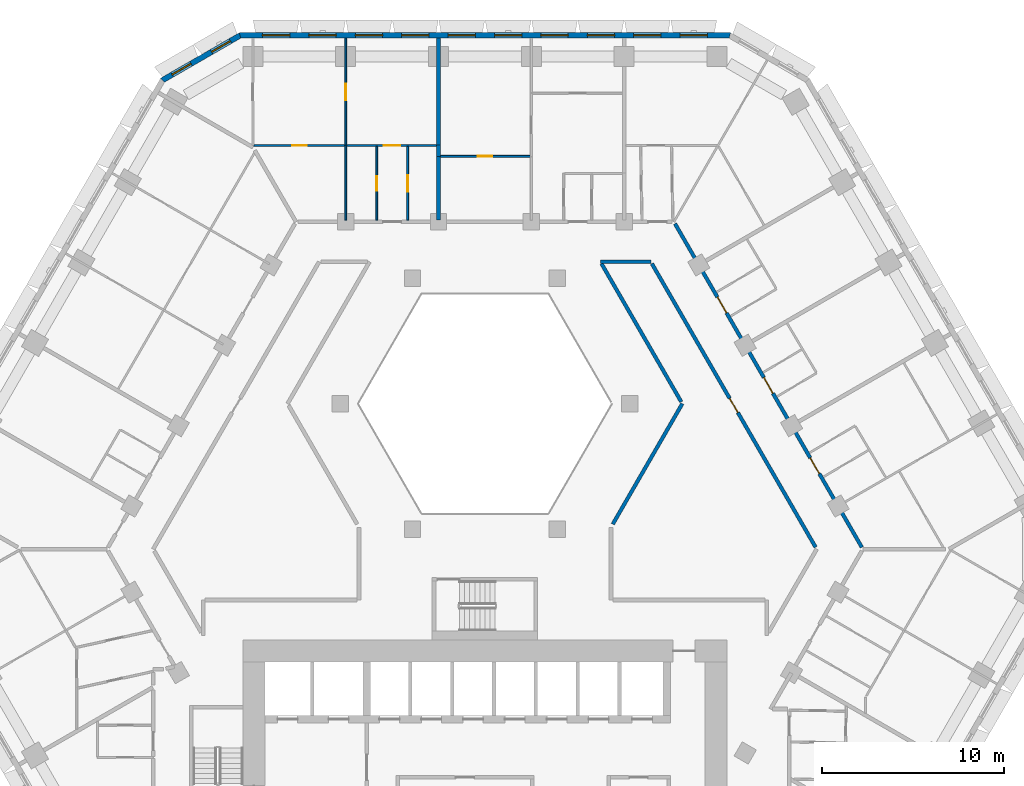
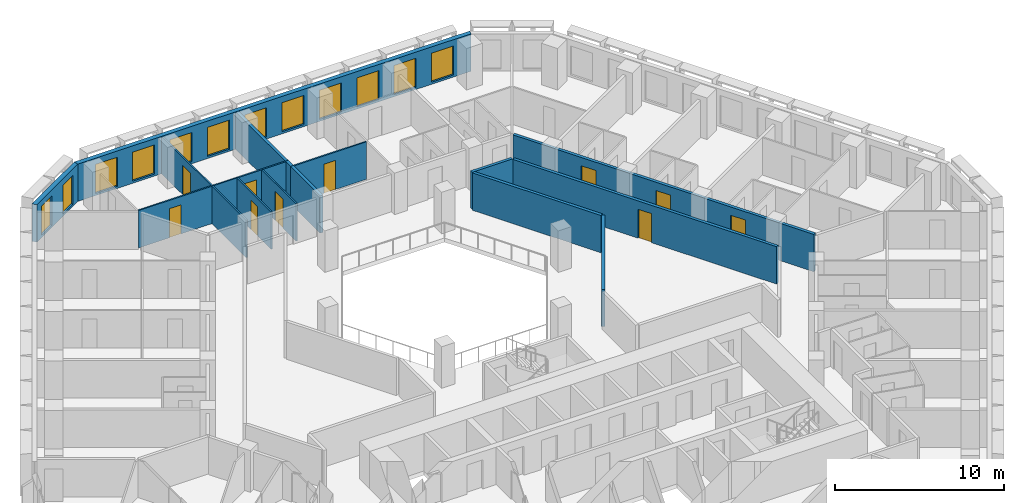
# One storey, part 10 of 21: 16 walls, 12 windows, 10 doors, 22 openings.
"""IFC4 building model written with IfcOpenShell, lengths in metres."""

from ifc_helpers import new_model, si_unit, direction, frame, frame_2d, origin, place, context, subcontext, project, spatial, polyline, rectangle, outline, extrude, material, layer, layer_set, type_object, element, fill, save


model = new_model("IFC4")

# Units and contexts
model_context = context("Model", 3, precision=1e-05, world=origin(), true_north=direction((0.0, 1.0)))
body_context = subcontext(model_context, "Body", "Model", "MODEL_VIEW")
ifc_project = project(units=[si_unit("LENGTHUNIT", "METRE"), si_unit("AREAUNIT", "SQUARE_METRE"), si_unit("VOLUMEUNIT", "CUBIC_METRE"), si_unit("PLANEANGLEUNIT", "RADIAN"), si_unit("MASSUNIT", "GRAM", prefix="KILO")], contexts=[model_context])

# Site, building, storey
site_placement = place(None, origin())
site = spatial("IfcSite", under=ifc_project, at=site_placement, CompositionType="ELEMENT")
building_placement = place(site_placement, origin())
building = spatial("IfcBuilding", under=site, at=building_placement, Name="Beryl Residences", CompositionType="ELEMENT")
storey_placement = place(building_placement, frame((0.0, 0.0, 47.39990234375)))
storey = spatial("IfcBuildingStorey", under=building, at=storey_placement, Name="L14", CompositionType="ELEMENT", Elevation=47.39990234375)

# Wall, openings, windows
ifc_material_1 = material(Name="Composite metal panel with mineral wool insulation")
ifc_layer_1 = layer(ifc_material_1, 0.300048828125)
ifc_layer_set_1 = layer_set([ifc_layer_1], Name="ES1 pale metal composite panel wall 300 mm")
wall_type_1 = type_object("IfcWallType", Name="ES1 pale metal composite panel wall 300 mm", PredefinedType="SOLIDWALL", material=ifc_layer_set_1)
wall_1_placement = place(storey_placement, frame((13.510009765625, 28.25, 0.0), z_axis=(0.0, 0.0, 1.0), x_axis=(-1.0, 0.0, 0.0)))
wall_1 = element("IfcWall", 1, at=wall_1_placement, inside=storey, type_object=wall_type_1, Name="ES1 external wall L14 N", PredefinedType="SOLIDWALL", context=body_context, shape_type="SweptSolid", body=[
    extrude(outline(polyline([(0.0, -0.14990234375), (27.02001953125, -0.14990234375), (26.939697265625, 0.14990234375), (0.080322265625, 0.14990234375), (0.0, -0.14990234375)])), origin(), (0.0, 0.0, 1.0), 2.7001953125),
])
opening_1_placement = place(wall_1_placement, frame((1.277099609375, 0.0, 0.14990234375)))
opening_1 = element("IfcOpeningElement", 2, at=opening_1_placement, cuts=wall_1, Name="Opening W1", PredefinedType="OPENING", context=body_context, shape_type="SweptSolid", body=[
    extrude(rectangle(XDim=1.5, YDim=2.10009765625, at=frame_2d((0.75, 1.050048828125))), frame((0.0, 0.159912109375, 0.0), z_axis=(0.0, -1.0, 0.0), x_axis=(1.0, 0.0, 0.0)), (0.0, 0.0, 1.0), 0.320068359375),
])
opening_2_placement = place(wall_1_placement, frame((3.8291015625, 0.0, 0.14990234375)))
opening_2 = element("IfcOpeningElement", 3, at=opening_2_placement, cuts=wall_1, Name="Opening W1", PredefinedType="OPENING", context=body_context, shape_type="SweptSolid", body=[
    extrude(rectangle(XDim=1.5, YDim=2.10009765625, at=frame_2d((0.75, 1.050048828125))), frame((0.0, 0.159912109375, 0.0), z_axis=(0.0, -1.0, 0.0), x_axis=(1.0, 0.0, 0.0)), (0.0, 0.0, 1.0), 0.320068359375),
])
opening_3_placement = place(wall_1_placement, frame((6.381103515625, 0.0, 0.14990234375)))
opening_3 = element("IfcOpeningElement", 4, at=opening_3_placement, cuts=wall_1, Name="Opening W1", PredefinedType="OPENING", context=body_context, shape_type="SweptSolid", body=[
    extrude(rectangle(XDim=1.5, YDim=2.10009765625, at=frame_2d((0.75, 1.050048828125))), frame((0.0, 0.159912109375, 0.0), z_axis=(0.0, -1.0, 0.0), x_axis=(1.0, 0.0, 0.0)), (0.0, 0.0, 1.0), 0.320068359375),
])
opening_4_placement = place(wall_1_placement, frame((8.93310546875, 0.0, 0.14990234375)))
opening_4 = element("IfcOpeningElement", 5, at=opening_4_placement, cuts=wall_1, Name="Opening W1", PredefinedType="OPENING", context=body_context, shape_type="SweptSolid", body=[
    extrude(rectangle(XDim=1.5, YDim=2.10009765625, at=frame_2d((0.75, 1.050048828125))), frame((0.0, 0.159912109375, 0.0), z_axis=(0.0, -1.0, 0.0), x_axis=(1.0, 0.0, 0.0)), (0.0, 0.0, 1.0), 0.320068359375),
])
opening_5_placement = place(wall_1_placement, frame((11.485107421875, 0.0, 0.14990234375)))
opening_5 = element("IfcOpeningElement", 6, at=opening_5_placement, cuts=wall_1, Name="Opening W1", PredefinedType="OPENING", context=body_context, shape_type="SweptSolid", body=[
    extrude(rectangle(XDim=1.5, YDim=2.10009765625, at=frame_2d((0.75, 1.050048828125))), frame((0.0, 0.159912109375, 0.0), z_axis=(0.0, -1.0, 0.0), x_axis=(1.0, 0.0, 0.0)), (0.0, 0.0, 1.0), 0.320068359375),
])
opening_6_placement = place(wall_1_placement, frame((14.037109375, 0.0, 0.14990234375)))
opening_6 = element("IfcOpeningElement", 7, at=opening_6_placement, cuts=wall_1, Name="Opening W1", PredefinedType="OPENING", context=body_context, shape_type="SweptSolid", body=[
    extrude(rectangle(XDim=1.5, YDim=2.10009765625, at=frame_2d((0.75, 1.050048828125))), frame((0.0, 0.159912109375, 0.0), z_axis=(0.0, -1.0, 0.0), x_axis=(1.0, 0.0, 0.0)), (0.0, 0.0, 1.0), 0.320068359375),
])
opening_7_placement = place(wall_1_placement, frame((16.589111328125, 0.0, 0.14990234375)))
opening_7 = element("IfcOpeningElement", 8, at=opening_7_placement, cuts=wall_1, Name="Opening W1", PredefinedType="OPENING", context=body_context, shape_type="SweptSolid", body=[
    extrude(rectangle(XDim=1.5, YDim=2.10009765625, at=frame_2d((0.75, 1.050048828125))), frame((0.0, 0.159912109375, 0.0), z_axis=(0.0, -1.0, 0.0), x_axis=(1.0, 0.0, 0.0)), (0.0, 0.0, 1.0), 0.320068359375),
])
opening_8_placement = place(wall_1_placement, frame((19.14111328125, 0.0, 0.14990234375)))
opening_8 = element("IfcOpeningElement", 9, at=opening_8_placement, cuts=wall_1, Name="Opening W1", PredefinedType="OPENING", context=body_context, shape_type="SweptSolid", body=[
    extrude(rectangle(XDim=1.5, YDim=2.10009765625, at=frame_2d((0.75, 1.050048828125))), frame((0.0, 0.159912109375, 0.0), z_axis=(0.0, -1.0, 0.0), x_axis=(1.0, 0.0, 0.0)), (0.0, 0.0, 1.0), 0.320068359375),
])
opening_9_placement = place(wall_1_placement, frame((21.693115234375, 0.0, 0.14990234375)))
opening_9 = element("IfcOpeningElement", 10, at=opening_9_placement, cuts=wall_1, Name="Opening W1", PredefinedType="OPENING", context=body_context, shape_type="SweptSolid", body=[
    extrude(rectangle(XDim=1.5, YDim=2.10009765625, at=frame_2d((0.75, 1.050048828125))), frame((0.0, 0.159912109375, 0.0), z_axis=(0.0, -1.0, 0.0), x_axis=(1.0, 0.0, 0.0)), (0.0, 0.0, 1.0), 0.320068359375),
])
opening_10_placement = place(wall_1_placement, frame((24.2451171875, 0.0, 0.14990234375)))
opening_10 = element("IfcOpeningElement", 11, at=opening_10_placement, cuts=wall_1, Name="Opening W1", PredefinedType="OPENING", context=body_context, shape_type="SweptSolid", body=[
    extrude(rectangle(XDim=1.5, YDim=2.10009765625, at=frame_2d((0.75, 1.050048828125))), frame((0.0, 0.159912109375, 0.0), z_axis=(0.0, -1.0, 0.0), x_axis=(1.0, 0.0, 0.0)), (0.0, 0.0, 1.0), 0.320068359375),
])
ifc_material_2 = material(Name="Aluminium and clear glass", Category="aluminium")
window_type_1 = type_object("IfcWindowType", Name="W1 cell window 1500 x 2100 mm", PartitioningType="SINGLE_PANEL", PredefinedType="WINDOW", material=ifc_material_2)
window_1_placement = place(opening_1_placement, origin())
window_1 = element("IfcWindow", 12, at=window_1_placement, inside=storey, type_object=window_type_1, Name="W1 window L14 N 1", OverallHeight=2.10009765625, OverallWidth=1.5, PartitioningType="SINGLE_PANEL", PredefinedType="WINDOW", context=body_context, shape_type="SweptSolid", body=[
    extrude(rectangle(XDim=1.5, YDim=2.10009765625, at=frame_2d((0.75, 1.050048828125))), frame((0.0, 0.030029296875, 0.0), z_axis=(0.0, -1.0, 0.0), x_axis=(1.0, 0.0, 0.0)), (0.0, 0.0, 1.0), 0.06005859375),
])
fill(opening_1, window_1)
window_2_placement = place(opening_2_placement, origin())
window_2 = element("IfcWindow", 13, at=window_2_placement, inside=storey, type_object=window_type_1, Name="W1 window L14 N 2", OverallHeight=2.10009765625, OverallWidth=1.5, PartitioningType="SINGLE_PANEL", PredefinedType="WINDOW", context=body_context, shape_type="SweptSolid", body=[
    extrude(rectangle(XDim=1.5, YDim=2.10009765625, at=frame_2d((0.75, 1.050048828125))), frame((0.0, 0.030029296875, 0.0), z_axis=(0.0, -1.0, 0.0), x_axis=(1.0, 0.0, 0.0)), (0.0, 0.0, 1.0), 0.06005859375),
])
fill(opening_2, window_2)
window_3_placement = place(opening_3_placement, origin())
window_3 = element("IfcWindow", 14, at=window_3_placement, inside=storey, type_object=window_type_1, Name="W1 window L14 N 3", OverallHeight=2.10009765625, OverallWidth=1.5, PartitioningType="SINGLE_PANEL", PredefinedType="WINDOW", context=body_context, shape_type="SweptSolid", body=[
    extrude(rectangle(XDim=1.5, YDim=2.10009765625, at=frame_2d((0.75, 1.050048828125))), frame((0.0, 0.030029296875, 0.0), z_axis=(0.0, -1.0, 0.0), x_axis=(1.0, 0.0, 0.0)), (0.0, 0.0, 1.0), 0.06005859375),
])
fill(opening_3, window_3)
window_4_placement = place(opening_4_placement, origin())
window_4 = element("IfcWindow", 15, at=window_4_placement, inside=storey, type_object=window_type_1, Name="W1 window L14 N 4", OverallHeight=2.10009765625, OverallWidth=1.5, PartitioningType="SINGLE_PANEL", PredefinedType="WINDOW", context=body_context, shape_type="SweptSolid", body=[
    extrude(rectangle(XDim=1.5, YDim=2.10009765625, at=frame_2d((0.75, 1.050048828125))), frame((0.0, 0.030029296875, 0.0), z_axis=(0.0, -1.0, 0.0), x_axis=(1.0, 0.0, 0.0)), (0.0, 0.0, 1.0), 0.06005859375),
])
fill(opening_4, window_4)
window_5_placement = place(opening_5_placement, origin())
window_5 = element("IfcWindow", 16, at=window_5_placement, inside=storey, type_object=window_type_1, Name="W1 window L14 N 5", OverallHeight=2.10009765625, OverallWidth=1.5, PartitioningType="SINGLE_PANEL", PredefinedType="WINDOW", context=body_context, shape_type="SweptSolid", body=[
    extrude(rectangle(XDim=1.5, YDim=2.10009765625, at=frame_2d((0.75, 1.050048828125))), frame((0.0, 0.030029296875, 0.0), z_axis=(0.0, -1.0, 0.0), x_axis=(1.0, 0.0, 0.0)), (0.0, 0.0, 1.0), 0.06005859375),
])
fill(opening_5, window_5)
window_6_placement = place(opening_6_placement, origin())
window_6 = element("IfcWindow", 17, at=window_6_placement, inside=storey, type_object=window_type_1, Name="W1 window L14 N 6", OverallHeight=2.10009765625, OverallWidth=1.5, PartitioningType="SINGLE_PANEL", PredefinedType="WINDOW", context=body_context, shape_type="SweptSolid", body=[
    extrude(rectangle(XDim=1.5, YDim=2.10009765625, at=frame_2d((0.75, 1.050048828125))), frame((0.0, 0.030029296875, 0.0), z_axis=(0.0, -1.0, 0.0), x_axis=(1.0, 0.0, 0.0)), (0.0, 0.0, 1.0), 0.06005859375),
])
fill(opening_6, window_6)
window_7_placement = place(opening_7_placement, origin())
window_7 = element("IfcWindow", 18, at=window_7_placement, inside=storey, type_object=window_type_1, Name="W1 window L14 N 7", OverallHeight=2.10009765625, OverallWidth=1.5, PartitioningType="SINGLE_PANEL", PredefinedType="WINDOW", context=body_context, shape_type="SweptSolid", body=[
    extrude(rectangle(XDim=1.5, YDim=2.10009765625, at=frame_2d((0.75, 1.050048828125))), frame((0.0, 0.030029296875, 0.0), z_axis=(0.0, -1.0, 0.0), x_axis=(1.0, 0.0, 0.0)), (0.0, 0.0, 1.0), 0.06005859375),
])
fill(opening_7, window_7)
window_8_placement = place(opening_8_placement, origin())
window_8 = element("IfcWindow", 19, at=window_8_placement, inside=storey, type_object=window_type_1, Name="W1 window L14 N 8", OverallHeight=2.10009765625, OverallWidth=1.5, PartitioningType="SINGLE_PANEL", PredefinedType="WINDOW", context=body_context, shape_type="SweptSolid", body=[
    extrude(rectangle(XDim=1.5, YDim=2.10009765625, at=frame_2d((0.75, 1.050048828125))), frame((0.0, 0.030029296875, 0.0), z_axis=(0.0, -1.0, 0.0), x_axis=(1.0, 0.0, 0.0)), (0.0, 0.0, 1.0), 0.06005859375),
])
fill(opening_8, window_8)
window_9_placement = place(opening_9_placement, origin())
window_9 = element("IfcWindow", 20, at=window_9_placement, inside=storey, type_object=window_type_1, Name="W1 window L14 N 9", OverallHeight=2.10009765625, OverallWidth=1.5, PartitioningType="SINGLE_PANEL", PredefinedType="WINDOW", context=body_context, shape_type="SweptSolid", body=[
    extrude(rectangle(XDim=1.5, YDim=2.10009765625, at=frame_2d((0.75, 1.050048828125))), frame((0.0, 0.030029296875, 0.0), z_axis=(0.0, -1.0, 0.0), x_axis=(1.0, 0.0, 0.0)), (0.0, 0.0, 1.0), 0.06005859375),
])
fill(opening_9, window_9)
window_10_placement = place(opening_10_placement, origin())
window_10 = element("IfcWindow", 21, at=window_10_placement, inside=storey, type_object=window_type_1, Name="W1 window L14 N 10", OverallHeight=2.10009765625, OverallWidth=1.5, PartitioningType="SINGLE_PANEL", PredefinedType="WINDOW", context=body_context, shape_type="SweptSolid", body=[
    extrude(rectangle(XDim=1.5, YDim=2.10009765625, at=frame_2d((0.75, 1.050048828125))), frame((0.0, 0.030029296875, 0.0), z_axis=(0.0, -1.0, 0.0), x_axis=(1.0, 0.0, 0.0)), (0.0, 0.0, 1.0), 0.06005859375),
])
fill(opening_10, window_10)

wall_2_placement = place(storey_placement, frame((-13.43505859375, 28.27001953125, 0.0), z_axis=(0.0, 0.0, 1.0), x_axis=(-0.866010750942, -0.50002537861, 0.0)))
wall_2 = element("IfcWall", 22, at=wall_2_placement, inside=storey, type_object=wall_type_1, Name="ES1 external wall L14 N-NW", PredefinedType="SOLIDWALL", context=body_context, shape_type="SweptSolid", body=[
    extrude(outline(polyline([(0.0, -0.14990234375), (4.999755859375, -0.14990234375), (4.91943359375, 0.14990234375), (0.080322265625, 0.14990234375), (0.0, -0.14990234375)])), origin(), (0.0, 0.0, 1.0), 2.7001953125),
])
opening_11_placement = place(wall_2_placement, frame((0.64990234375, 0.0, 0.14990234375)))
opening_11 = element("IfcOpeningElement", 23, at=opening_11_placement, cuts=wall_2, Name="Opening W2", PredefinedType="OPENING", context=body_context, shape_type="SweptSolid", body=[
    extrude(rectangle(XDim=1.199951171875, YDim=2.10009765625, at=frame_2d((0.60009765625, 1.050048828125))), frame((0.0, 0.159912109375, 0.0), z_axis=(0.0, -1.0, 0.0), x_axis=(1.0, 0.0, 0.0)), (0.0, 0.0, 1.0), 0.320068359375),
])
opening_12_placement = place(wall_2_placement, frame((3.14892578125, 0.0, 0.14990234375)))
opening_12 = element("IfcOpeningElement", 24, at=opening_12_placement, cuts=wall_2, Name="Opening W2", PredefinedType="OPENING", context=body_context, shape_type="SweptSolid", body=[
    extrude(rectangle(XDim=1.199951171875, YDim=2.10009765625, at=frame_2d((0.60009765625, 1.050048828125))), frame((0.0, 0.159912109375, 0.0), z_axis=(0.0, -1.0, 0.0), x_axis=(1.0, 0.0, 0.0)), (0.0, 0.0, 1.0), 0.320068359375),
])
ifc_material_3 = material(Name="Aluminium and clear glass", Category="aluminium")
window_type_2 = type_object("IfcWindowType", Name="W2 chamfer window 1200 x 2100 mm", PartitioningType="SINGLE_PANEL", PredefinedType="WINDOW", material=ifc_material_3)
window_11_placement = place(opening_11_placement, origin())
window_11 = element("IfcWindow", 25, at=window_11_placement, inside=storey, type_object=window_type_2, Name="W2 window L14 N-NW 1", OverallHeight=2.10009765625, OverallWidth=1.199951171875, PartitioningType="SINGLE_PANEL", PredefinedType="WINDOW", context=body_context, shape_type="SweptSolid", body=[
    extrude(rectangle(XDim=1.199951171875, YDim=2.10009765625, at=frame_2d((0.60009765625, 1.050048828125))), frame((0.0, 0.030029296875, 0.0), z_axis=(0.0, -1.0, 0.0), x_axis=(1.0, 0.0, 0.0)), (0.0, 0.0, 1.0), 0.06005859375),
])
fill(opening_11, window_11)
window_12_placement = place(opening_12_placement, origin())
window_12 = element("IfcWindow", 26, at=window_12_placement, inside=storey, type_object=window_type_2, Name="W2 window L14 N-NW 2", OverallHeight=2.10009765625, OverallWidth=1.199951171875, PartitioningType="SINGLE_PANEL", PredefinedType="WINDOW", context=body_context, shape_type="SweptSolid", body=[
    extrude(rectangle(XDim=1.199951171875, YDim=2.10009765625, at=frame_2d((0.60009765625, 1.050048828125))), frame((0.0, 0.030029296875, 0.0), z_axis=(0.0, -1.0, 0.0), x_axis=(1.0, 0.0, 0.0)), (0.0, 0.0, 1.0), 0.06005859375),
])
fill(opening_12, window_12)

# Wall, opening, door
ifc_material_4 = material(Name="Gypsum board partition on steel studs", Category="steel")
ifc_layer_2 = layer(ifc_material_4, 0.10009765625)
ifc_layer_set_2 = layer_set([ifc_layer_2], Name="PT1 partition 100 mm gypsum board on steel studs")
wall_type_2 = type_object("IfcWallType", Name="PT1 partition 100 mm gypsum board on steel studs", PredefinedType="PARTITIONING", material=ifc_layer_set_2)
wall_3_placement = place(storey_placement, frame((-2.452880859375, 21.60009765625, 0.0), z_axis=(0.0, 0.0, 1.0), x_axis=(1.0, 0.0, 0.0)))
wall_3 = element("IfcWall", 27, at=wall_3_placement, inside=storey, type_object=wall_type_2, Name="Wall PT1 L14 036", PredefinedType="PARTITIONING", context=body_context, shape_type="SweptSolid", body=[
    extrude(rectangle(XDim=4.953857421875, YDim=0.10009765625, at=frame_2d((2.47705078125, 0.0))), origin(), (0.0, 0.0, 1.0), 2.7001953125),
])
opening_13_placement = place(wall_3_placement, frame((2.052001953125, 0.0, 0.0)))
opening_13 = element("IfcOpeningElement", 28, at=opening_13_placement, cuts=wall_3, Name="Opening D0274", PredefinedType="OPENING", context=body_context, shape_type="SweptSolid", body=[
    extrude(rectangle(XDim=0.800048828125, YDim=2.10009765625, at=frame_2d((0.39990234375, 1.050048828125))), frame((0.0, 0.06005859375, 0.0), z_axis=(0.0, -1.0, 0.0), x_axis=(1.0, 0.0, 0.0)), (0.0, 0.0, 1.0), 0.1201171875),
])
ifc_material_5 = material(Name="Timber door leaf", Category="wood")
door_type_1 = type_object("IfcDoorType", Name="D3 bathroom door 800 x 2100 mm", OperationType="SINGLE_SWING_LEFT", PredefinedType="DOOR", material=ifc_material_5)
door_1_placement = place(opening_13_placement, origin())
door_1 = element("IfcDoor", 29, at=door_1_placement, inside=storey, type_object=door_type_1, Name="Door D0274 L14 001", OperationType="SINGLE_SWING_RIGHT", OverallHeight=2.10009765625, OverallWidth=0.800048828125, PredefinedType="DOOR", context=body_context, shape_type="SweptSolid", body=[
    extrude(rectangle(XDim=0.800048828125, YDim=2.10009765625, at=frame_2d((0.39990234375, 1.050048828125))), frame((0.0, 0.02490234375, 0.0), z_axis=(0.0, -1.0, 0.0), x_axis=(1.0, 0.0, 0.0)), (0.0, 0.0, 1.0), 0.050048828125),
])
fill(opening_13, door_1)

# Wall, openings, doors
wall_4_placement = place(storey_placement, frame((-12.7109375, 22.199951171875, 0.0), z_axis=(0.0, 0.0, 1.0), x_axis=(1.0, 0.0, 0.0)))
wall_4 = element("IfcWall", 30, at=wall_4_placement, inside=storey, type_object=wall_type_2, Name="Wall PT1 L14 037", PredefinedType="PARTITIONING", context=body_context, shape_type="SweptSolid", body=[
    extrude(rectangle(XDim=10.057861328125, YDim=0.10009765625, at=frame_2d((5.02880859375, 0.0))), origin(), (0.0, 0.0, 1.0), 2.7001953125),
])
opening_14_placement = place(wall_4_placement, frame((7.156005859375, 0.0, 0.0)))
opening_14 = element("IfcOpeningElement", 31, at=opening_14_placement, cuts=wall_4, Name="Opening D0278", PredefinedType="OPENING", context=body_context, shape_type="SweptSolid", body=[
    extrude(rectangle(XDim=0.89990234375, YDim=2.10009765625, at=frame_2d((0.449951171875, 1.050048828125))), frame((0.0, 0.06005859375, 0.0), z_axis=(0.0, -1.0, 0.0), x_axis=(1.0, 0.0, 0.0)), (0.0, 0.0, 1.0), 0.1201171875),
])
opening_15_placement = place(wall_4_placement, frame((2.10205078125, 0.0, 0.0)))
opening_15 = element("IfcOpeningElement", 32, at=opening_15_placement, cuts=wall_4, Name="Opening D0281", PredefinedType="OPENING", context=body_context, shape_type="SweptSolid", body=[
    extrude(rectangle(XDim=0.800048828125, YDim=2.10009765625, at=frame_2d((0.39990234375, 1.050048828125))), frame((0.0, 0.06005859375, 0.0), z_axis=(0.0, -1.0, 0.0), x_axis=(1.0, 0.0, 0.0)), (0.0, 0.0, 1.0), 0.1201171875),
])
ifc_material_6 = material(Name="Timber door leaf", Category="wood")
door_type_2 = type_object("IfcDoorType", Name="D2 room door 900 x 2100 mm", OperationType="SINGLE_SWING_LEFT", PredefinedType="DOOR", material=ifc_material_6)
door_2_placement = place(opening_14_placement, origin())
door_2 = element("IfcDoor", 33, at=door_2_placement, inside=storey, type_object=door_type_2, Name="Door D0278 L14 001", OperationType="SINGLE_SWING_RIGHT", OverallHeight=2.10009765625, OverallWidth=0.89990234375, PredefinedType="DOOR", context=body_context, shape_type="SweptSolid", body=[
    extrude(rectangle(XDim=0.89990234375, YDim=2.10009765625, at=frame_2d((0.449951171875, 1.050048828125))), frame((0.0, 0.02490234375, 0.0), z_axis=(0.0, -1.0, 0.0), x_axis=(1.0, 0.0, 0.0)), (0.0, 0.0, 1.0), 0.050048828125),
])
fill(opening_14, door_2)
door_3_placement = place(opening_15_placement, origin())
door_3 = element("IfcDoor", 34, at=door_3_placement, inside=storey, type_object=door_type_1, Name="Door D0281 L14 001", OperationType="SINGLE_SWING_LEFT", OverallHeight=2.10009765625, OverallWidth=0.800048828125, PredefinedType="DOOR", context=body_context, shape_type="SweptSolid", body=[
    extrude(rectangle(XDim=0.800048828125, YDim=2.10009765625, at=frame_2d((0.39990234375, 1.050048828125))), frame((0.0, 0.02490234375, 0.0), z_axis=(0.0, -1.0, 0.0), x_axis=(1.0, 0.0, 0.0)), (0.0, 0.0, 1.0), 0.050048828125),
])
fill(opening_15, door_3)

# Wall, opening, door
wall_5_placement = place(storey_placement, frame((-4.2548828125, 18.10009765625, 0.0), z_axis=(0.0, 0.0, 1.0), x_axis=(0.0, 1.0, 0.0)))
wall_5 = element("IfcWall", 35, at=wall_5_placement, inside=storey, type_object=wall_type_2, Name="Wall PT1 L14 055", PredefinedType="PARTITIONING", context=body_context, shape_type="SweptSolid", body=[
    extrude(rectangle(XDim=4.0498046875, YDim=0.10009765625, at=frame_2d((2.02490234375, 0.0))), origin(), (0.0, 0.0, 1.0), 2.7001953125),
])
opening_16_placement = place(wall_5_placement, frame((1.550048828125, 0.0, 0.0)))
opening_16 = element("IfcOpeningElement", 36, at=opening_16_placement, cuts=wall_5, Name="Opening D0277", PredefinedType="OPENING", context=body_context, shape_type="SweptSolid", body=[
    extrude(rectangle(XDim=0.89990234375, YDim=2.10009765625, at=frame_2d((0.449951171875, 1.050048828125))), frame((0.0, 0.06005859375, 0.0), z_axis=(0.0, -1.0, 0.0), x_axis=(1.0, 0.0, 0.0)), (0.0, 0.0, 1.0), 0.1201171875),
])
door_4_placement = place(opening_16_placement, origin())
door_4 = element("IfcDoor", 37, at=door_4_placement, inside=storey, type_object=door_type_2, Name="Door D0277 L14 001", OperationType="SINGLE_SWING_LEFT", OverallHeight=2.10009765625, OverallWidth=0.89990234375, PredefinedType="DOOR", context=body_context, shape_type="SweptSolid", body=[
    extrude(rectangle(XDim=0.89990234375, YDim=2.10009765625, at=frame_2d((0.449951171875, 1.050048828125))), frame((0.0, 0.02490234375, 0.0), z_axis=(0.0, -1.0, 0.0), x_axis=(1.0, 0.0, 0.0)), (0.0, 0.0, 1.0), 0.050048828125),
])
fill(opening_16, door_4)

wall_6_placement = place(storey_placement, frame((-5.955078125, 18.10009765625, 0.0), z_axis=(0.0, 0.0, 1.0), x_axis=(0.0, 1.0, 0.0)))
wall_6 = element("IfcWall", 38, at=wall_6_placement, inside=storey, type_object=wall_type_2, Name="Wall PT1 L14 056", PredefinedType="PARTITIONING", context=body_context, shape_type="SweptSolid", body=[
    extrude(rectangle(XDim=4.0498046875, YDim=0.10009765625, at=frame_2d((2.02490234375, 0.0))), origin(), (0.0, 0.0, 1.0), 2.7001953125),
])
opening_17_placement = place(wall_6_placement, frame((1.60009765625, 0.0, 0.0)))
opening_17 = element("IfcOpeningElement", 39, at=opening_17_placement, cuts=wall_6, Name="Opening D0276", PredefinedType="OPENING", context=body_context, shape_type="SweptSolid", body=[
    extrude(rectangle(XDim=0.800048828125, YDim=2.10009765625, at=frame_2d((0.39990234375, 1.050048828125))), frame((0.0, 0.06005859375, 0.0), z_axis=(0.0, -1.0, 0.0), x_axis=(1.0, 0.0, 0.0)), (0.0, 0.0, 1.0), 0.1201171875),
])
door_5_placement = place(opening_17_placement, origin())
door_5 = element("IfcDoor", 40, at=door_5_placement, inside=storey, type_object=door_type_1, Name="Door D0276 L14 001", OperationType="SINGLE_SWING_RIGHT", OverallHeight=2.10009765625, OverallWidth=0.800048828125, PredefinedType="DOOR", context=body_context, shape_type="SweptSolid", body=[
    extrude(rectangle(XDim=0.800048828125, YDim=2.10009765625, at=frame_2d((0.39990234375, 1.050048828125))), frame((0.0, 0.02490234375, 0.0), z_axis=(0.0, -1.0, 0.0), x_axis=(1.0, 0.0, 0.0)), (0.0, 0.0, 1.0), 0.050048828125),
])
fill(opening_17, door_5)

# Wall
wall_7_placement = place(storey_placement, frame((-7.656982421875, 18.10009765625, 0.0), z_axis=(0.0, 0.0, 1.0), x_axis=(0.0, 1.0, 0.0)))
element("IfcWall", 41, at=wall_7_placement, inside=storey, type_object=wall_type_2, Name="Wall PT1 L14 057", PredefinedType="PARTITIONING", context=body_context, shape_type="SweptSolid", body=[
    extrude(rectangle(XDim=4.099853515625, YDim=0.10009765625, at=frame_2d((2.0498046875, 0.0))), origin(), (0.0, 0.0, 1.0), 2.7001953125),
])

# Wall, opening, door
wall_8_placement = place(storey_placement, frame((-7.656982421875, 22.199951171875, 0.0), z_axis=(0.0, 0.0, 1.0), x_axis=(0.0, 1.0, 0.0)))
wall_8 = element("IfcWall", 42, at=wall_8_placement, inside=storey, type_object=wall_type_2, Name="Wall PT1 L14 079", PredefinedType="PARTITIONING", context=body_context, shape_type="SweptSolid", body=[
    extrude(rectangle(XDim=5.900146484375, YDim=0.10009765625, at=frame_2d((2.9501953125, 0.0))), origin(), (0.0, 0.0, 1.0), 2.7001953125),
])
opening_18_placement = place(wall_8_placement, frame((2.5, 0.0, 0.0)))
opening_18 = element("IfcOpeningElement", 43, at=opening_18_placement, cuts=wall_8, Name="Opening D0279", PredefinedType="OPENING", context=body_context, shape_type="SweptSolid", body=[
    extrude(rectangle(XDim=0.89990234375, YDim=2.10009765625, at=frame_2d((0.449951171875, 1.050048828125))), frame((0.0, 0.06005859375, 0.0), z_axis=(0.0, -1.0, 0.0), x_axis=(1.0, 0.0, 0.0)), (0.0, 0.0, 1.0), 0.1201171875),
])
door_6_placement = place(opening_18_placement, origin())
door_6 = element("IfcDoor", 44, at=door_6_placement, inside=storey, type_object=door_type_2, Name="Door D0279 L14 001", OperationType="SINGLE_SWING_LEFT", OverallHeight=2.10009765625, OverallWidth=0.89990234375, PredefinedType="DOOR", context=body_context, shape_type="SweptSolid", body=[
    extrude(rectangle(XDim=0.89990234375, YDim=2.10009765625, at=frame_2d((0.449951171875, 1.050048828125))), frame((0.0, 0.02490234375, 0.0), z_axis=(0.0, -1.0, 0.0), x_axis=(1.0, 0.0, 0.0)), (0.0, 0.0, 1.0), 0.050048828125),
])
fill(opening_18, door_6)

# Walls
ifc_material_7 = material(Name="Acoustic double stud gypsum board wall")
ifc_layer_3 = layer(ifc_material_7, 0.199951171875)
ifc_layer_set_3 = layer_set([ifc_layer_3], Name="PT3 party wall 200 mm acoustic double stud")
wall_type_3 = type_object("IfcWallType", Name="PT3 party wall 200 mm acoustic double stud", PredefinedType="PARTITIONING", material=ifc_layer_set_3)
wall_9_placement = place(storey_placement, frame((-2.552978515625, 22.219970703125, 0.0), z_axis=(0.0, 0.0, 1.0), x_axis=(0.0, -1.0, 0.0)))
element("IfcWall", 45, at=wall_9_placement, inside=storey, type_object=wall_type_3, Name="Wall PT3 L14 004", PredefinedType="PARTITIONING", context=body_context, shape_type="SweptSolid", body=[
    extrude(rectangle(XDim=0.619873046875, YDim=0.199951171875, at=frame_2d((0.31005859375, 0.0))), origin(), (0.0, 0.0, 1.0), 2.7001953125),
])
wall_10_placement = place(storey_placement, frame((-2.552978515625, 18.10009765625, 0.0), z_axis=(0.0, 0.0, 1.0), x_axis=(0.0, 1.0, 0.0)))
element("IfcWall", 46, at=wall_10_placement, inside=storey, type_object=wall_type_3, Name="Wall PT3 L14 021", PredefinedType="PARTITIONING", context=body_context, shape_type="SweptSolid", body=[
    extrude(rectangle(XDim=3.5, YDim=0.199951171875, at=frame_2d((1.75, 0.0))), origin(), (0.0, 0.0, 1.0), 2.7001953125),
])
wall_11_placement = place(storey_placement, frame((-2.552978515625, 22.179931640625, 0.0), z_axis=(0.0, 0.0, 1.0), x_axis=(0.0, 1.0, 0.0)))
element("IfcWall", 47, at=wall_11_placement, inside=storey, type_object=wall_type_3, Name="Wall PT3 L14 022", PredefinedType="PARTITIONING", context=body_context, shape_type="SweptSolid", body=[
    extrude(rectangle(XDim=5.920166015625, YDim=0.199951171875, at=frame_2d((2.9599609375, 0.0))), origin(), (0.0, 0.0, 1.0), 2.7001953125),
])
ifc_material_8 = material(Name="Double stud gypsum board wall")
ifc_layer_4 = layer(ifc_material_8, 0.199951171875)
ifc_layer_set_4 = layer_set([ifc_layer_4], Name="PT4 corridor wall 200 mm double stud")
wall_type_4 = type_object("IfcWallType", Name="PT4 corridor wall 200 mm double stud", PredefinedType="PARTITIONING", material=ifc_layer_set_4)
wall_12_placement = place(storey_placement, frame((6.408935546875, 15.699951171875, 0.0), z_axis=(0.0, 0.0, 1.0), x_axis=(0.499930377127, -0.866065596838, 0.0)))
element("IfcWall", 48, at=wall_12_placement, inside=storey, type_object=wall_type_4, Name="Wall PT4 L14 004", PredefinedType="PARTITIONING", context=body_context, shape_type="SweptSolid", body=[
    extrude(rectangle(XDim=8.775146484375, YDim=0.199951171875, at=frame_2d((4.3876953125, 0.0))), origin(), (0.0, 0.0, 1.0), 2.7001953125),
])

# Wall, opening, door
wall_13_placement = place(storey_placement, frame((9.179931640625, 15.699951171875, 0.0), z_axis=(0.0, 0.0, 1.0), x_axis=(0.500003652032, -0.866023295272, 0.0)))
wall_13 = element("IfcWall", 49, at=wall_13_placement, inside=storey, type_object=wall_type_4, Name="Wall PT4 L14 005", PredefinedType="PARTITIONING", context=body_context, shape_type="SweptSolid", body=[
    extrude(rectangle(XDim=18.011962890625, YDim=0.199951171875, at=frame_2d((9.005859375, 0.0))), origin(), (0.0, 0.0, 1.0), 2.7001953125),
])
opening_19_placement = place(wall_13_placement, frame((8.555908203125, 0.0, 0.0)))
opening_19 = element("IfcOpeningElement", 50, at=opening_19_placement, cuts=wall_13, Name="Opening D0283", PredefinedType="OPENING", context=body_context, shape_type="SweptSolid", body=[
    extrude(rectangle(XDim=0.89990234375, YDim=2.10009765625, at=frame_2d((0.449951171875, 1.050048828125))), frame((0.0, 0.10986328125, 0.0), z_axis=(0.0, -1.0, 0.0), x_axis=(1.0, 0.0, 0.0)), (0.0, 0.0, 1.0), 0.219970703125),
])
door_7_placement = place(opening_19_placement, origin())
door_7 = element("IfcDoor", 51, at=door_7_placement, inside=storey, type_object=door_type_2, Name="Door D0283 L14 001", OperationType="SINGLE_SWING_LEFT", OverallHeight=2.10009765625, OverallWidth=0.89990234375, PredefinedType="DOOR", context=body_context, shape_type="SweptSolid", body=[
    extrude(rectangle(XDim=0.89990234375, YDim=2.10009765625, at=frame_2d((0.449951171875, 1.050048828125))), frame((0.0, 0.02490234375, 0.0), z_axis=(0.0, -1.0, 0.0), x_axis=(1.0, 0.0, 0.0)), (0.0, 0.0, 1.0), 0.050048828125),
])
fill(opening_19, door_7)

# Wall, openings, doors
wall_14_placement = place(storey_placement, frame((10.449951171875, 17.89990234375, 0.0), z_axis=(0.0, 0.0, 1.0), x_axis=(0.500034352617, -0.866005569383, 0.0)))
wall_14 = element("IfcWall", 52, at=wall_14_placement, inside=storey, type_object=wall_type_4, Name="Wall PT4 L14 006", PredefinedType="PARTITIONING", context=body_context, shape_type="SweptSolid", body=[
    extrude(rectangle(XDim=20.552734375, YDim=0.199951171875, at=frame_2d((10.2763671875, 0.0))), origin(), (0.0, 0.0, 1.0), 2.7001953125),
])
opening_20_placement = place(wall_14_placement, frame((14.87890625, 0.0, 0.0)))
opening_20 = element("IfcOpeningElement", 53, at=opening_20_placement, cuts=wall_14, Name="Opening D0251", PredefinedType="OPENING", context=body_context, shape_type="SweptSolid", body=[
    extrude(rectangle(XDim=1.0, YDim=2.10009765625, at=frame_2d((0.5, 1.050048828125))), frame((0.0, 0.10986328125, 0.0), z_axis=(0.0, -1.0, 0.0), x_axis=(1.0, 0.0, 0.0)), (0.0, 0.0, 1.0), 0.219970703125),
])
opening_21_placement = place(wall_14_placement, frame((9.77490234375, 0.0, 0.0)))
opening_21 = element("IfcOpeningElement", 54, at=opening_21_placement, cuts=wall_14, Name="Opening D0257", PredefinedType="OPENING", context=body_context, shape_type="SweptSolid", body=[
    extrude(rectangle(XDim=1.0, YDim=2.10009765625, at=frame_2d((0.5, 1.050048828125))), frame((0.0, 0.10986328125, 0.0), z_axis=(0.0, -1.0, 0.0), x_axis=(1.0, 0.0, 0.0)), (0.0, 0.0, 1.0), 0.219970703125),
])
opening_22_placement = place(wall_14_placement, frame((4.6708984375, 0.0, 0.0)))
opening_22 = element("IfcOpeningElement", 55, at=opening_22_placement, cuts=wall_14, Name="Opening D0260", PredefinedType="OPENING", context=body_context, shape_type="SweptSolid", body=[
    extrude(rectangle(XDim=1.0, YDim=2.10009765625, at=frame_2d((0.5, 1.050048828125))), frame((0.0, 0.10986328125, 0.0), z_axis=(0.0, -1.0, 0.0), x_axis=(1.0, 0.0, 0.0)), (0.0, 0.0, 1.0), 0.219970703125),
])
ifc_material_9 = material(Name="Timber door leaf", Category="wood")
door_type_3 = type_object("IfcDoorType", Name="D1 flat entrance door 1000 x 2100 mm", OperationType="SINGLE_SWING_LEFT", PredefinedType="DOOR", material=ifc_material_9)
door_8_placement = place(opening_20_placement, origin())
door_8 = element("IfcDoor", 56, at=door_8_placement, inside=storey, type_object=door_type_3, Name="Door D0251 L14 001", OperationType="SINGLE_SWING_LEFT", OverallHeight=2.10009765625, OverallWidth=1.0, PredefinedType="DOOR", context=body_context, shape_type="SweptSolid", body=[
    extrude(rectangle(XDim=1.0, YDim=2.10009765625, at=frame_2d((0.5, 1.050048828125))), frame((0.0, 0.02490234375, 0.0), z_axis=(0.0, -1.0, 0.0), x_axis=(1.0, 0.0, 0.0)), (0.0, 0.0, 1.0), 0.050048828125),
])
fill(opening_20, door_8)
door_9_placement = place(opening_21_placement, origin())
door_9 = element("IfcDoor", 57, at=door_9_placement, inside=storey, type_object=door_type_3, Name="Door D0257 L14 001", OperationType="SINGLE_SWING_LEFT", OverallHeight=2.10009765625, OverallWidth=1.0, PredefinedType="DOOR", context=body_context, shape_type="SweptSolid", body=[
    extrude(rectangle(XDim=1.0, YDim=2.10009765625, at=frame_2d((0.5, 1.050048828125))), frame((0.0, 0.02490234375, 0.0), z_axis=(0.0, -1.0, 0.0), x_axis=(1.0, 0.0, 0.0)), (0.0, 0.0, 1.0), 0.050048828125),
])
fill(opening_21, door_9)
door_10_placement = place(opening_22_placement, origin())
door_10 = element("IfcDoor", 58, at=door_10_placement, inside=storey, type_object=door_type_3, Name="Door D0260 L14 001", OperationType="SINGLE_SWING_RIGHT", OverallHeight=2.10009765625, OverallWidth=1.0, PredefinedType="DOOR", context=body_context, shape_type="SweptSolid", body=[
    extrude(rectangle(XDim=1.0, YDim=2.10009765625, at=frame_2d((0.5, 1.050048828125))), frame((0.0, 0.02490234375, 0.0), z_axis=(0.0, -1.0, 0.0), x_axis=(1.0, 0.0, 0.0)), (0.0, 0.0, 1.0), 0.050048828125),
])
fill(opening_22, door_10)

# Walls
wall_15_placement = place(storey_placement, frame((6.35107421875, 15.800048828125, 0.0), z_axis=(0.0, 0.0, 1.0), x_axis=(1.0, 0.0, 0.0)))
element("IfcWall", 59, at=wall_15_placement, inside=storey, type_object=wall_type_4, Name="Wall PT4 L14 018", PredefinedType="PARTITIONING", context=body_context, shape_type="SweptSolid", body=[
    extrude(rectangle(XDim=2.77099609375, YDim=0.199951171875, at=frame_2d((1.385498046875, 0.0))), origin(), (0.0, 0.0, 1.0), 2.7001953125),
])
wall_16_placement = place(storey_placement, frame((7.028076171875, 1.373046875, 0.0), z_axis=(0.0, 0.0, 1.0), x_axis=(0.49998574534, 0.86603363356, 0.0)))
element("IfcWall", 60, at=wall_16_placement, inside=storey, type_object=wall_type_4, Name="Wall PT4 L14 020", PredefinedType="PARTITIONING", context=body_context, shape_type="SweptSolid", body=[
    extrude(rectangle(XDim=7.652099609375, YDim=0.199951171875, at=frame_2d((3.826171875, 0.0))), origin(), (0.0, 0.0, 1.0), 2.7001953125),
])

save(model, "model.ifc")
